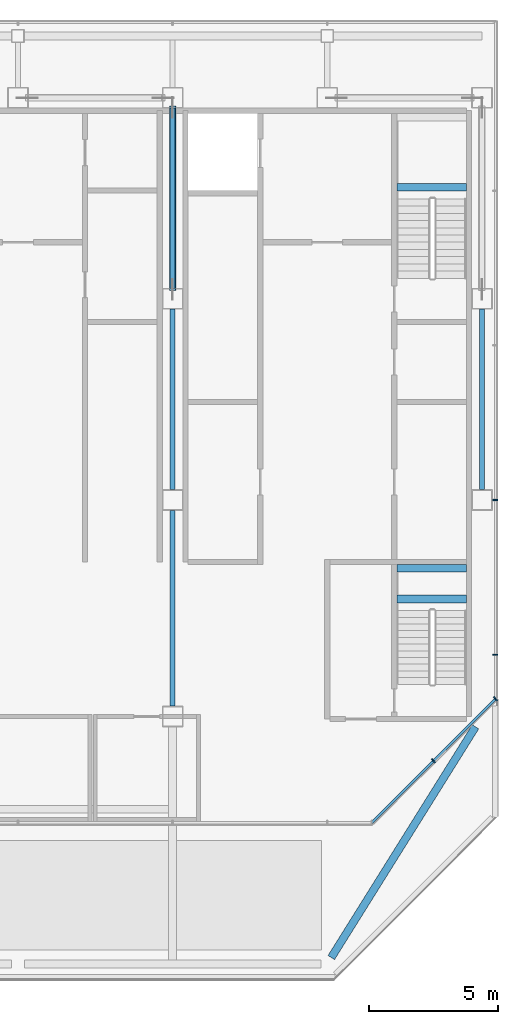
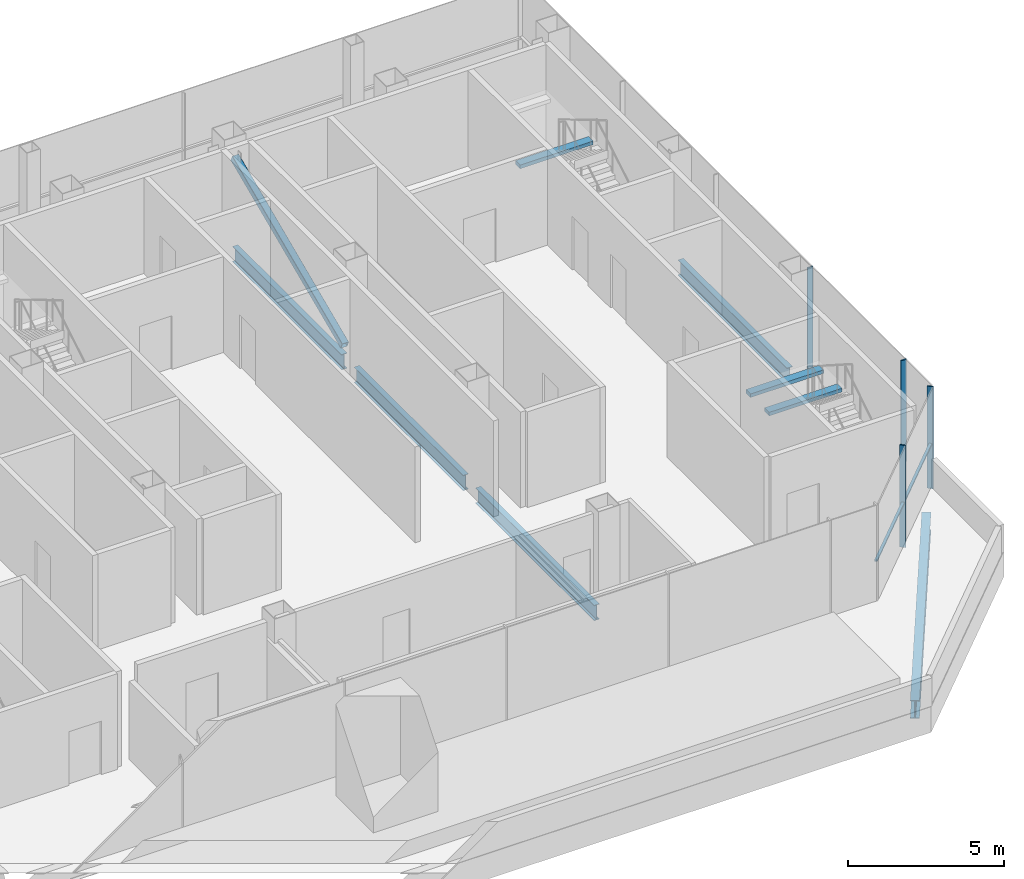
# One storey, part 8 of 18: 8 beams, 6 members, 2 elements without a shape of their own.
"""IFC4 building model written with IfcOpenShell, lengths in metres."""

import ifcopenshell
import ifcopenshell.guid

model = None  # the IFC model being written
_history = None  # IfcOwnerHistory: only IFC2X3 demands one
_inside = {}  # id of a spatial element -> (the spatial element, [elements in it])
_under = {}  # id of a project, library or spatial element -> (it, [spatial elements below it])
_declared = {}  # id of a project -> (the project, [libraries it declares])
_typed = {}  # id of a type object -> (the type object, [elements of that type])
_made_of = {}  # id of a material, layer set ... -> (it, [elements and type objects made of it])


def new_model(schema):
    """Start an empty IFC model of exactly this schema.

    Asked for "IFC4X3", IfcOpenShell would pick the latest addendum, in which some entities
    have other attributes; the version numbers below select the first issue.
    IFC2X3 requires an IfcOwnerHistory on every rooted entity: one is made here for all.
    """
    global model, _history
    if schema == "IFC4X3":
        model = ifcopenshell.file(schema_version=(4, 3, 0, 0))
    else:
        model = ifcopenshell.file(schema=schema)
    _inside.clear()
    _under.clear()
    _declared.clear()
    _typed.clear()
    _made_of.clear()
    _history = None
    if model.schema == "IFC2X3":
        org = make("IfcOrganization", Name="unknown")
        user = make(
            "IfcPersonAndOrganization",
            ThePerson=make("IfcPerson", FamilyName="unknown"),
            TheOrganization=org,
        )
        app = make(
            "IfcApplication",
            ApplicationDeveloper=org,
            Version="unknown",
            ApplicationFullName="unknown",
            ApplicationIdentifier="unknown",
        )
        _history = make(
            "IfcOwnerHistory",
            OwningUser=user,
            OwningApplication=app,
            ChangeAction="ADDED",
            CreationDate=0,
        )
    return model


def make(cls, **values):
    """One entity of the class cls with the attributes given. An attribute that is None is left unset."""
    return model.create_entity(
        cls, **{name: value for name, value in values.items() if value is not None}
    )


def rooted(cls, **values):
    """An entity with a GlobalId (a new one), such as an element, a storey or a relation."""
    return make(cls, GlobalId=ifcopenshell.guid.new(), OwnerHistory=_history, **values)


def si_unit(unit_type, name, prefix=None):
    """IfcSIUnit, for example si_unit("LENGTHUNIT", "METRE", prefix="MILLI")."""
    return make("IfcSIUnit", UnitType=unit_type, Prefix=prefix, Name=name)


def assignment(units):
    """IfcUnitAssignment: the units of a project."""
    return None if units is None else make("IfcUnitAssignment", Units=units)


def point(xyz):
    """IfcCartesianPoint."""
    return None if xyz is None else make("IfcCartesianPoint", Coordinates=xyz)


def direction(xyz):
    """IfcDirection."""
    return None if xyz is None else make("IfcDirection", DirectionRatios=xyz)


def frame(location, z_axis=None, x_axis=None):
    """IfcAxis2Placement3D, a coordinate frame: its origin and axes. An axis left out is left unset."""
    return make(
        "IfcAxis2Placement3D",
        Location=point(location),
        Axis=direction(z_axis),
        RefDirection=direction(x_axis),
    )


def frame_2d(location, x_axis=None):
    """IfcAxis2Placement2D, a coordinate frame in the plane: its origin and x axis."""
    return make(
        "IfcAxis2Placement2D", Location=point(location), RefDirection=direction(x_axis)
    )


def origin():
    """The frame at (0, 0, 0) with its axes left unset."""
    return frame((0.0, 0.0, 0.0))


def origin_2d():
    """The frame at (0, 0) in the plane with its x axis left unset."""
    return frame_2d((0.0, 0.0))


def place(relative_to, where):
    """IfcLocalPlacement: puts the frame where relative to a parent placement (None: the world)."""
    return make(
        "IfcLocalPlacement", PlacementRelTo=relative_to, RelativePlacement=where
    )


def context(
    kind, dimensions, precision=None, world=None, true_north=None, identifier=None
):
    """IfcGeometricRepresentationContext, for example the 3D "Model" context."""
    return make(
        "IfcGeometricRepresentationContext",
        ContextIdentifier=identifier,
        ContextType=kind,
        CoordinateSpaceDimension=dimensions,
        Precision=precision,
        WorldCoordinateSystem=world,
        TrueNorth=true_north,
    )


def subcontext(parent, identifier, kind, view, scale=None):
    """IfcGeometricRepresentationSubContext, for example "Body" below "Model"."""
    return make(
        "IfcGeometricRepresentationSubContext",
        ContextIdentifier=identifier,
        ContextType=kind,
        ParentContext=parent,
        TargetScale=scale,
        TargetView=view,
    )


def project(units=None, contexts=None):
    """IfcProject with its units and contexts."""
    return rooted(
        "IfcProject",
        Name="project",
        RepresentationContexts=contexts,
        UnitsInContext=assignment(units),
    )


def spatial(cls, under=None, at=None, **own):
    """A site, building, storey or space (cls), placed at a placement, below another one or the project."""
    s = rooted(cls, ObjectPlacement=at, **own)
    if under is not None:
        _under.setdefault(under.id(), (under, []))[1].append(s)
    return s


def profile(cls, at=None, kind="AREA", **sizes):
    """A parametric profile (cls). Its sizes go by their IFC names, for example OverallWidth=200.0."""
    return make(cls, ProfileType=kind, Position=at, **sizes)


def rectangle(**sizes):
    """IfcRectangleProfileDef."""
    return profile("IfcRectangleProfileDef", **sizes)


def hollow_rectangle(**sizes):
    """IfcRectangleHollowProfileDef."""
    return profile("IfcRectangleHollowProfileDef", **sizes)


def i_section(**sizes):
    """IfcIShapeProfileDef."""
    return profile("IfcIShapeProfileDef", **sizes)


def extrude(swept, where, along, depth):
    """IfcExtrudedAreaSolid: the profile swept, set in the frame where, extruded along a direction by depth."""
    return make(
        "IfcExtrudedAreaSolid",
        SweptArea=swept,
        Position=where,
        ExtrudedDirection=direction(along),
        Depth=depth,
    )


def shape(context_of_items, identifier, shape_type, items):
    """IfcShapeRepresentation: the items that make up one representation, for example the "Body"."""
    return make(
        "IfcShapeRepresentation",
        ContextOfItems=context_of_items,
        RepresentationIdentifier=identifier,
        RepresentationType=shape_type,
        Items=items,
    )


def material(Name=None, Category=None):
    """IfcMaterial."""
    return make("IfcMaterial", Name=Name, Category=Category)


def material_profile(
    of_material, cross_section, Name=None, Category=None, Priority=None
):
    """IfcMaterialProfile: a cross section and its material."""
    return make(
        "IfcMaterialProfile",
        Name=Name,
        Material=of_material,
        Profile=cross_section,
        Priority=Priority,
        Category=Category,
    )


def profile_set(profiles, Name=None, composite=None):
    """IfcMaterialProfileSet."""
    return make(
        "IfcMaterialProfileSet",
        Name=Name,
        MaterialProfiles=profiles,
        CompositeProfile=composite,
    )


def made_of(thing, what):
    """Note that an element or type object is made of a material, layer set ...; save() writes the relation."""
    if what is not None:
        _made_of.setdefault(what.id(), (what, []))[1].append(thing)
    return thing


def type_object(cls, material=None, **own):
    """A type object (cls), such as IfcWallType, which elements share."""
    return made_of(rooted(cls, **own), material)


def element(
    cls,
    number,
    at=None,
    inside=None,
    cuts=None,
    type_object=None,
    material=None,
    context=None,
    identifier="Body",
    shape_type=None,
    held_by="IfcProductDefinitionShape",
    body=None,
    shapes=None,
    **own,
):
    """One element of the class cls, such as IfcWall. Its Tag is "e" and its number.

    at: its placement. inside: the storey or other place that contains it. cuts: it is an
    opening in that element (IfcRelVoidsElement). A single representation is given by context,
    identifier, shape_type and body (its items); several are given by shapes. held_by: the class
    of the entity that holds the representations. save() writes the other relations.
    """
    e = rooted(cls, Tag="e%d" % number, ObjectPlacement=at, **own)
    if body is not None:
        shapes = [shape(context, identifier, shape_type, body)]
    if shapes is not None:
        e.Representation = make(held_by, Representations=shapes)
    if inside is not None:
        _inside.setdefault(inside.id(), (inside, []))[1].append(e)
    if cuts is not None:
        rooted(
            "IfcRelVoidsElement", RelatingBuildingElement=cuts, RelatedOpeningElement=e
        )
    if type_object is not None:
        _typed.setdefault(type_object.id(), (type_object, []))[1].append(e)
    return made_of(e, material)


def aggregate(whole, parts):
    """IfcRelAggregates: a whole, such as a stair, and the parts it consists of."""
    return rooted("IfcRelAggregates", RelatingObject=whole, RelatedObjects=parts)


def save(model, path):
    """Write the relations noted so far, then the file.

    IfcRelAggregates (storeys below a building ...), IfcRelContainedInSpatialStructure (elements
    in a storey), IfcRelDefinesByType, IfcRelAssociatesMaterial and IfcRelDeclares: one each for
    every whole, place, type object, material and project.
    """
    for whole, parts in _under.values():
        aggregate(whole, parts)
    for where, things in _inside.values():
        rooted(
            "IfcRelContainedInSpatialStructure",
            RelatedElements=things,
            RelatingStructure=where,
        )
    for kind, things in _typed.values():
        rooted("IfcRelDefinesByType", RelatedObjects=things, RelatingType=kind)
    for what, things in _made_of.values():
        rooted("IfcRelAssociatesMaterial", RelatedObjects=things, RelatingMaterial=what)
    for by, libraries in _declared.values():
        rooted("IfcRelDeclares", RelatingContext=by, RelatedDefinitions=libraries)
    model.write(path)


model = new_model("IFC4")

# Units and contexts
model_context = context("Model", 3, precision=1e-05, world=origin(), true_north=direction((0.0, 1.0)))
body_context = subcontext(model_context, "Body", "Model", "MODEL_VIEW")
ifc_project = project(units=[si_unit("LENGTHUNIT", "METRE"), si_unit("AREAUNIT", "SQUARE_METRE"), si_unit("VOLUMEUNIT", "CUBIC_METRE"), si_unit("PLANEANGLEUNIT", "RADIAN"), si_unit("MASSUNIT", "GRAM", prefix="KILO")], contexts=[model_context])

# Site, building, storey
site_placement = place(None, origin())
site = spatial("IfcSite", under=ifc_project, at=site_placement, CompositionType="ELEMENT")
building_placement = place(site_placement, origin())
building = spatial("IfcBuilding", under=site, at=building_placement, Name="Sorahane Residences", CompositionType="ELEMENT")
storey_placement = place(building_placement, frame((0.0, 0.0, 345.800048828125)))
storey = spatial("IfcBuildingStorey", under=building, at=storey_placement, Name="L82", CompositionType="ELEMENT", Elevation=345.800048828125)

# Member
ifc_material_1 = material(Name="Steel Q355B", Category="steel")
ifc_material_profile_1 = material_profile(ifc_material_1, hollow_rectangle(XDim=0.25, YDim=0.25, WallThickness=0.011962890625, InnerFilletRadius=0.006103515625, OuterFilletRadius=0.01806640625, at=origin_2d()), Name="RHS 250x250x12")
ifc_profile_set_1 = profile_set([ifc_material_profile_1], Name="Steel Q355B")
member_type_1 = type_object("IfcMemberType", Name="Core brace RHS 250x250x12 Q355B", PredefinedType="BRACE", material=ifc_profile_set_1)
member_1_placement = place(storey_placement, frame((30.0, 38.169921875, 0.11181640625), z_axis=(0.0, 0.916757291072, 0.399444701138), x_axis=(-1.0, 0.0, 0.0)))
element("IfcMember", 1, at=member_1_placement, inside=storey, type_object=member_type_1, Name="Core brace L82 x30-2", PredefinedType="BRACE", context=body_context, shape_type="SweptSolid", body=[
    extrude(hollow_rectangle(XDim=0.25, YDim=0.25, WallThickness=0.011962890625, InnerFilletRadius=0.006103515625, OuterFilletRadius=0.01806640625, at=origin_2d()), origin(), (0.0, 0.0, 1.0), 7.701171875),
])

# Curtain wall, members
ifc_material_2 = material(Name="Dark low-e glass and black anodised aluminium", Category="aluminium")
curtain_wall_type = type_object("IfcCurtainWallType", Name="Curtain wall CW-6 Crown unitised wall", PredefinedType="NOTDEFINED", material=ifc_material_2)
curtain_wall_1_placement = place(storey_placement, origin())
curtain_wall_1 = element("IfcCurtainWall", 2, at=curtain_wall_1_placement, inside=storey, type_object=curtain_wall_type, Name="CW-6 curtain wall L82 SE1", PredefinedType="NOTDEFINED")
ifc_material_3 = material(Name="Black anodised aluminium", Category="aluminium")
ifc_material_profile_2 = material_profile(ifc_material_3, rectangle(XDim=0.199951171875, YDim=0.050048828125, at=origin_2d()), Name="Curtain wall mullion CW-6 black anodised aluminium 50x200")
ifc_profile_set_2 = profile_set([ifc_material_profile_2], Name="Black anodised aluminium")
member_type_2 = type_object("IfcMemberType", Name="Curtain wall mullion CW-6 black anodised aluminium 50x200", PredefinedType="MULLION", material=ifc_profile_set_2)
member_2_placement = place(storey_placement, frame((40.11767578125, 19.88232421875, -0.25), z_axis=(0.0, 0.0, 1.0), x_axis=(0.707106781187, -0.707106781187, 0.0)))
member_2 = element("IfcMember", 3, at=member_2_placement, type_object=member_type_2, Name="CW-6 mullion L82 SE1.2", PredefinedType="MULLION", context=body_context, shape_type="SweptSolid", body=[
    extrude(rectangle(XDim=0.199951171875, YDim=0.050048828125, at=origin_2d()), origin(), (0.0, 0.0, 1.0), 4.0),
])
member_3_placement = place(storey_placement, frame((42.525634765625, 22.290283203125, -0.25), z_axis=(0.0, 0.0, 1.0), x_axis=(0.707106781187, -0.707106781187, 0.0)))
member_3 = element("IfcMember", 4, at=member_3_placement, type_object=member_type_2, Name="CW-6 mullion L82 SE1.3", PredefinedType="MULLION", context=body_context, shape_type="SweptSolid", body=[
    extrude(rectangle(XDim=0.199951171875, YDim=0.050048828125, at=origin_2d()), origin(), (0.0, 0.0, 1.0), 4.0),
])

curtain_wall_2_placement = place(storey_placement, origin())
curtain_wall_2 = element("IfcCurtainWall", 5, at=curtain_wall_2_placement, inside=storey, type_object=curtain_wall_type, Name="CW-6 curtain wall L82 E1", PredefinedType="NOTDEFINED")
member_4_placement = place(storey_placement, frame((42.52001953125, 24.0, -0.25), z_axis=(0.0, 0.0, 1.0), x_axis=(1.0, 0.0, 0.0)))
member_4 = element("IfcMember", 6, at=member_4_placement, type_object=member_type_2, Name="CW-6 mullion L82 E1.2", PredefinedType="MULLION", context=body_context, shape_type="SweptSolid", body=[
    extrude(rectangle(XDim=0.199951171875, YDim=0.050048828125, at=origin_2d()), origin(), (0.0, 0.0, 1.0), 4.0),
])
member_5_placement = place(storey_placement, frame((42.52001953125, 30.0, -0.25), z_axis=(0.0, 0.0, 1.0), x_axis=(1.0, 0.0, 0.0)))
member_5 = element("IfcMember", 7, at=member_5_placement, type_object=member_type_2, Name="CW-6 mullion L82 E1.3", PredefinedType="MULLION", context=body_context, shape_type="SweptSolid", body=[
    extrude(rectangle(XDim=0.199951171875, YDim=0.050048828125, at=origin_2d()), origin(), (0.0, 0.0, 1.0), 4.0),
])
aggregate(curtain_wall_2, [member_4, member_5])

# Member
ifc_material_4 = material(Name="Black anodised aluminium", Category="aluminium")
ifc_material_profile_3 = material_profile(ifc_material_4, rectangle(XDim=0.10009765625, YDim=0.06005859375, at=origin_2d()), Name="Curtain wall transom CW-6 black anodised aluminium 60x100")
ifc_profile_set_3 = profile_set([ifc_material_profile_3], Name="Black anodised aluminium")
member_type_3 = type_object("IfcMemberType", Name="Curtain wall transom CW-6 black anodised aluminium 60x100", PredefinedType="USERDEFINED", material=ifc_profile_set_3)
member_6_placement = place(storey_placement, frame((37.734375, 17.48486328125, 1.5), z_axis=(0.707106781187, 0.707106781187, 0.0), x_axis=(-0.707106781187, 0.707106781187, 0.0)))
member_6 = element("IfcMember", 8, at=member_6_placement, type_object=member_type_3, Name="CW-6 transom L82 SE1", ObjectType="TRANSOM", PredefinedType="USERDEFINED", context=body_context, shape_type="SweptSolid", body=[
    extrude(rectangle(XDim=0.10009765625, YDim=0.06005859375, at=origin_2d()), origin(), (0.0, 0.0, 1.0), 6.760986328125),
])

aggregate(curtain_wall_1, [member_2, member_3, member_6])

# Beams
ifc_material_5 = material(Name="Concrete C40", Category="concrete")
ifc_material_profile_4 = material_profile(ifc_material_5, rectangle(XDim=0.300048828125, YDim=0.139892578125, at=origin_2d()), Name="300x140")
ifc_profile_set_4 = profile_set([ifc_material_profile_4], Name="Concrete C40")
beam_type_1 = type_object("IfcBeamType", Name="RC landing beam 300 x 140 Concrete C40", PredefinedType="BEAM", material=ifc_profile_set_4)
for number, where, z_axis, x_axis, name in (
    (9, (38.699951171875, 42.1298828125, 1.72998046875), (1.0, 0.0, 0.0), (0.0, 1.0, 0.0), "Landing beam"),
    (10, (38.699951171875, 26.159912109375, 1.72998046875), (1.0, 0.0, 0.0), (0.0, 1.0, 0.0), "Landing beam"),
    (11, (38.699951171875, 27.35009765625, 1.72998046875), (1.0, 0.0, 0.0), (0.0, 1.0, 0.0), "Landing beam"),
):
    element("IfcBeam", number, at=place(storey_placement, frame(where, z_axis=z_axis, x_axis=x_axis)), inside=storey, type_object=beam_type_1, Name=name, PredefinedType="BEAM", context=body_context, shape_type="SweptSolid", body=[
        extrude(rectangle(XDim=0.300048828125, YDim=0.139892578125, at=origin_2d()), origin(), (0.0, 0.0, 1.0), 2.699951171875),
    ])
ifc_material_6 = material(Name="Steel Q355B", Category="steel")
ifc_material_profile_5 = material_profile(ifc_material_6, i_section(OverallWidth=0.199951171875, OverallDepth=0.60009765625, WebThickness=0.010986328125, FlangeThickness=0.01708984375, FilletRadius=0.02392578125, at=origin_2d()), Name="HN 600x200x11x17")
ifc_profile_set_5 = profile_set([ifc_material_profile_5], Name="Steel Q355B")
beam_type_2 = type_object("IfcBeamType", Name="Steel floor beam HN 600x200x11x17 Q355B", PredefinedType="BEAM", material=ifc_profile_set_5)
beam_1_placement = place(storey_placement, frame((30.0, 22.0, -0.550048828125), z_axis=(0.0, 1.0, 0.0), x_axis=(-1.0, 0.0, 0.0)))
element("IfcBeam", 12, at=beam_1_placement, inside=storey, type_object=beam_type_2, Name="Beam L82 024", PredefinedType="BEAM", context=body_context, shape_type="SweptSolid", body=[
    extrude(i_section(OverallWidth=0.199951171875, OverallDepth=0.60009765625, WebThickness=0.010986328125, FlangeThickness=0.01708984375, FilletRadius=0.02392578125, at=origin_2d()), origin(), (0.0, 0.0, 1.0), 7.60009765625),
])
for number, where, z_axis, x_axis, name in (
    (13, (30.0, 30.39990234375, -0.550048828125), (0.0, 1.0, 0.0), (-1.0, 0.0, 0.0), "Beam L82 025"),
    (14, (30.0, 38.199951171875, -0.550048828125), (0.0, 1.0, 0.0), (-1.0, 0.0, 0.0), "Beam L82 026"),
    (15, (42.0, 30.39990234375, -0.550048828125), (0.0, 1.0, 0.0), (-1.0, 0.0, 0.0), "Beam L82 029"),
):
    element("IfcBeam", number, at=place(storey_placement, frame(where, z_axis=z_axis, x_axis=x_axis)), inside=storey, type_object=beam_type_2, Name=name, PredefinedType="BEAM", context=body_context, shape_type="SweptSolid", body=[
        extrude(i_section(OverallWidth=0.199951171875, OverallDepth=0.60009765625, WebThickness=0.010986328125, FlangeThickness=0.01708984375, FilletRadius=0.02392578125, at=origin_2d()), origin(), (0.0, 0.0, 1.0), 7.0),
    ])
ifc_material_7 = material(Name="Steel Q355B", Category="steel")
ifc_material_profile_6 = material_profile(ifc_material_7, i_section(OverallWidth=0.300048828125, OverallDepth=0.699951171875, WebThickness=0.012939453125, FlangeThickness=0.02392578125, FilletRadius=0.028076171875, at=origin_2d()), Name="HN 700x300x13x24")
ifc_profile_set_6 = profile_set([ifc_material_profile_6], Name="Steel Q355B")
beam_type_3 = type_object("IfcBeamType", Name="Steel floor beam HN 700x300x13x24 Q355B", PredefinedType="BEAM", material=ifc_profile_set_6)
beam_2_placement = place(storey_placement, frame((36.15625, 12.25, -0.60009765625), z_axis=(0.530001019285, 0.84799700445, 0.0), x_axis=(-0.84799700445, 0.530001019285, 0.0)))
element("IfcBeam", 16, at=beam_2_placement, inside=storey, type_object=beam_type_3, Name="Beam L82 036", PredefinedType="BEAM", context=body_context, shape_type="SweptSolid", body=[
    extrude(i_section(OverallWidth=0.300048828125, OverallDepth=0.699951171875, WebThickness=0.012939453125, FlangeThickness=0.02392578125, FilletRadius=0.028076171875, at=origin_2d()), origin(), (0.0, 0.0, 1.0), 10.55419921875),
])

save(model, "model.ifc")
